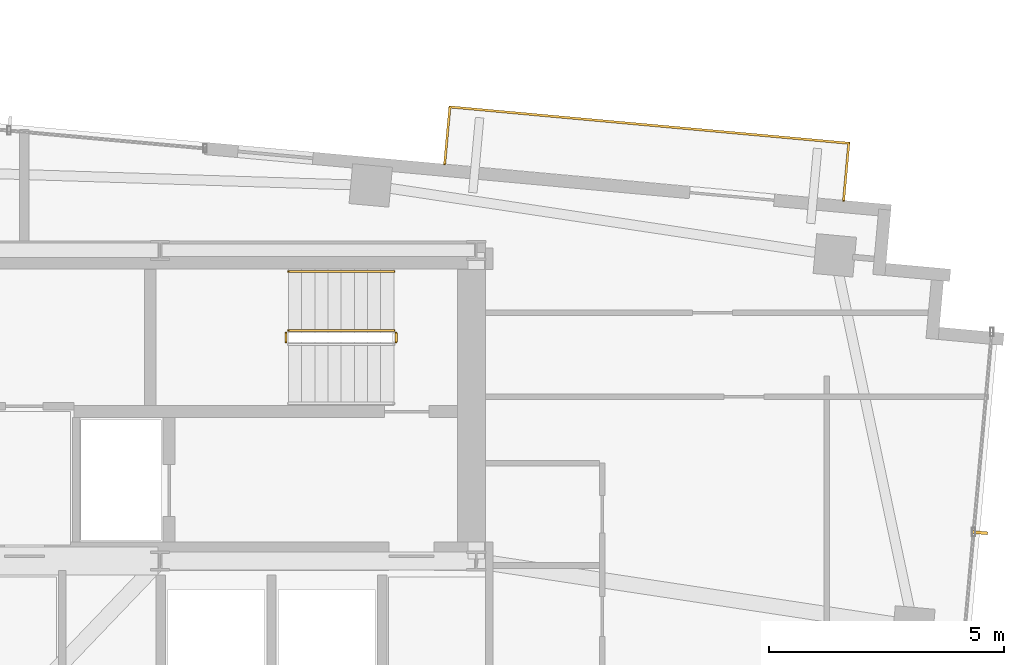
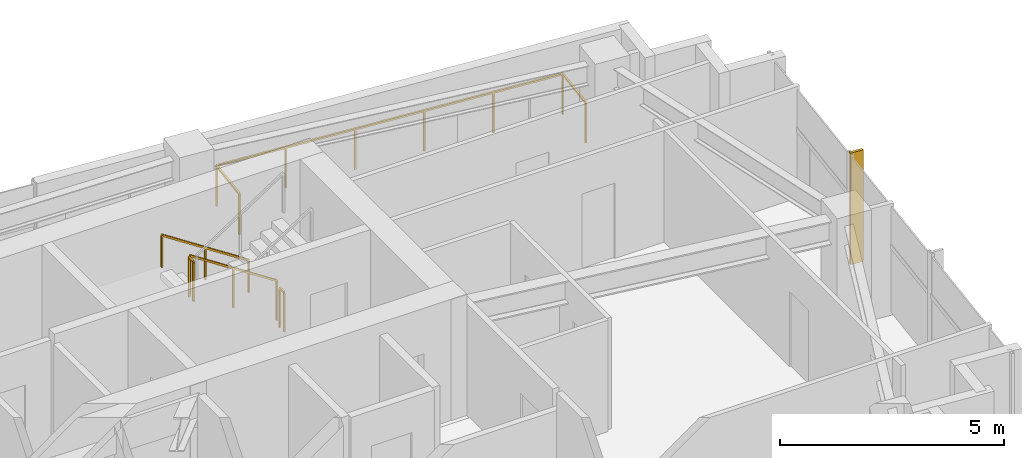
# One storey, part 22 of 22: 5 railings, 1 shading device.
"""IFC4 building model written with IfcOpenShell, lengths in metres."""

import ifcopenshell
import ifcopenshell.guid

model = None  # the IFC model being written
_history = None  # IfcOwnerHistory: only IFC2X3 demands one
_inside = {}  # id of a spatial element -> (the spatial element, [elements in it])
_under = {}  # id of a project, library or spatial element -> (it, [spatial elements below it])
_declared = {}  # id of a project -> (the project, [libraries it declares])
_typed = {}  # id of a type object -> (the type object, [elements of that type])
_made_of = {}  # id of a material, layer set ... -> (it, [elements and type objects made of it])


def new_model(schema):
    """Start an empty IFC model of exactly this schema.

    Asked for "IFC4X3", IfcOpenShell would pick the latest addendum, in which some entities
    have other attributes; the version numbers below select the first issue.
    IFC2X3 requires an IfcOwnerHistory on every rooted entity: one is made here for all.
    """
    global model, _history
    if schema == "IFC4X3":
        model = ifcopenshell.file(schema_version=(4, 3, 0, 0))
    else:
        model = ifcopenshell.file(schema=schema)
    _inside.clear()
    _under.clear()
    _declared.clear()
    _typed.clear()
    _made_of.clear()
    _history = None
    if model.schema == "IFC2X3":
        org = make("IfcOrganization", Name="unknown")
        user = make(
            "IfcPersonAndOrganization",
            ThePerson=make("IfcPerson", FamilyName="unknown"),
            TheOrganization=org,
        )
        app = make(
            "IfcApplication",
            ApplicationDeveloper=org,
            Version="unknown",
            ApplicationFullName="unknown",
            ApplicationIdentifier="unknown",
        )
        _history = make(
            "IfcOwnerHistory",
            OwningUser=user,
            OwningApplication=app,
            ChangeAction="ADDED",
            CreationDate=0,
        )
    return model


def make(cls, **values):
    """One entity of the class cls with the attributes given. An attribute that is None is left unset."""
    return model.create_entity(
        cls, **{name: value for name, value in values.items() if value is not None}
    )


def rooted(cls, **values):
    """An entity with a GlobalId (a new one), such as an element, a storey or a relation."""
    return make(cls, GlobalId=ifcopenshell.guid.new(), OwnerHistory=_history, **values)


def si_unit(unit_type, name, prefix=None):
    """IfcSIUnit, for example si_unit("LENGTHUNIT", "METRE", prefix="MILLI")."""
    return make("IfcSIUnit", UnitType=unit_type, Prefix=prefix, Name=name)


def assignment(units):
    """IfcUnitAssignment: the units of a project."""
    return None if units is None else make("IfcUnitAssignment", Units=units)


def point(xyz):
    """IfcCartesianPoint."""
    return None if xyz is None else make("IfcCartesianPoint", Coordinates=xyz)


def direction(xyz):
    """IfcDirection."""
    return None if xyz is None else make("IfcDirection", DirectionRatios=xyz)


def frame(location, z_axis=None, x_axis=None):
    """IfcAxis2Placement3D, a coordinate frame: its origin and axes. An axis left out is left unset."""
    return make(
        "IfcAxis2Placement3D",
        Location=point(location),
        Axis=direction(z_axis),
        RefDirection=direction(x_axis),
    )


def frame_2d(location, x_axis=None):
    """IfcAxis2Placement2D, a coordinate frame in the plane: its origin and x axis."""
    return make(
        "IfcAxis2Placement2D", Location=point(location), RefDirection=direction(x_axis)
    )


def origin():
    """The frame at (0, 0, 0) with its axes left unset."""
    return frame((0.0, 0.0, 0.0))


def origin_2d():
    """The frame at (0, 0) in the plane with its x axis left unset."""
    return frame_2d((0.0, 0.0))


def place(relative_to, where):
    """IfcLocalPlacement: puts the frame where relative to a parent placement (None: the world)."""
    return make(
        "IfcLocalPlacement", PlacementRelTo=relative_to, RelativePlacement=where
    )


def context(
    kind, dimensions, precision=None, world=None, true_north=None, identifier=None
):
    """IfcGeometricRepresentationContext, for example the 3D "Model" context."""
    return make(
        "IfcGeometricRepresentationContext",
        ContextIdentifier=identifier,
        ContextType=kind,
        CoordinateSpaceDimension=dimensions,
        Precision=precision,
        WorldCoordinateSystem=world,
        TrueNorth=true_north,
    )


def subcontext(parent, identifier, kind, view, scale=None):
    """IfcGeometricRepresentationSubContext, for example "Body" below "Model"."""
    return make(
        "IfcGeometricRepresentationSubContext",
        ContextIdentifier=identifier,
        ContextType=kind,
        ParentContext=parent,
        TargetScale=scale,
        TargetView=view,
    )


def project(units=None, contexts=None):
    """IfcProject with its units and contexts."""
    return rooted(
        "IfcProject",
        Name="project",
        RepresentationContexts=contexts,
        UnitsInContext=assignment(units),
    )


def spatial(cls, under=None, at=None, **own):
    """A site, building, storey or space (cls), placed at a placement, below another one or the project."""
    s = rooted(cls, ObjectPlacement=at, **own)
    if under is not None:
        _under.setdefault(under.id(), (under, []))[1].append(s)
    return s


def profile(cls, at=None, kind="AREA", **sizes):
    """A parametric profile (cls). Its sizes go by their IFC names, for example OverallWidth=200.0."""
    return make(cls, ProfileType=kind, Position=at, **sizes)


def rectangle(**sizes):
    """IfcRectangleProfileDef."""
    return profile("IfcRectangleProfileDef", **sizes)


def extrude(swept, where, along, depth):
    """IfcExtrudedAreaSolid: the profile swept, set in the frame where, extruded along a direction by depth."""
    return make(
        "IfcExtrudedAreaSolid",
        SweptArea=swept,
        Position=where,
        ExtrudedDirection=direction(along),
        Depth=depth,
    )


def shape(context_of_items, identifier, shape_type, items):
    """IfcShapeRepresentation: the items that make up one representation, for example the "Body"."""
    return make(
        "IfcShapeRepresentation",
        ContextOfItems=context_of_items,
        RepresentationIdentifier=identifier,
        RepresentationType=shape_type,
        Items=items,
    )


def source(mapping_origin, context_of_items, identifier, shape_type, items):
    """IfcRepresentationMap: a shape defined once, which mapped items show again and again."""
    return make(
        "IfcRepresentationMap",
        MappingOrigin=mapping_origin,
        MappedRepresentation=shape(context_of_items, identifier, shape_type, items),
    )


def transform(
    local_origin,
    x_axis=None,
    y_axis=None,
    z_axis=None,
    scale=None,
    scale2=None,
    scale3=None,
    uniform=True,
):
    """IfcCartesianTransformationOperator3D, or its non-uniform kind. x_axis, y_axis, z_axis: its Axis1, 2, 3."""
    if uniform:
        return make(
            "IfcCartesianTransformationOperator3D",
            Axis1=direction(x_axis),
            Axis2=direction(y_axis),
            LocalOrigin=point(local_origin),
            Scale=scale,
            Axis3=direction(z_axis),
        )
    return make(
        "IfcCartesianTransformationOperator3DnonUniform",
        Axis1=direction(x_axis),
        Axis2=direction(y_axis),
        LocalOrigin=point(local_origin),
        Scale=scale,
        Axis3=direction(z_axis),
        Scale2=scale2,
        Scale3=scale3,
    )


def mapped(mapping_source, mapping_target):
    """IfcMappedItem: shows the shape of a source again, moved by a transform."""
    return make(
        "IfcMappedItem", MappingSource=mapping_source, MappingTarget=mapping_target
    )


def material(Name=None, Category=None):
    """IfcMaterial."""
    return make("IfcMaterial", Name=Name, Category=Category)


def made_of(thing, what):
    """Note that an element or type object is made of a material, layer set ...; save() writes the relation."""
    if what is not None:
        _made_of.setdefault(what.id(), (what, []))[1].append(thing)
    return thing


def type_object(cls, material=None, **own):
    """A type object (cls), such as IfcWallType, which elements share."""
    return made_of(rooted(cls, **own), material)


def type_shapes(of_type, sources):
    """Give a type object the sources (RepresentationMaps) that its elements show as mapped items."""
    of_type.RepresentationMaps = sources


def element(
    cls,
    number,
    at=None,
    inside=None,
    cuts=None,
    type_object=None,
    material=None,
    context=None,
    identifier="Body",
    shape_type=None,
    held_by="IfcProductDefinitionShape",
    body=None,
    shapes=None,
    **own,
):
    """One element of the class cls, such as IfcWall. Its Tag is "e" and its number.

    at: its placement. inside: the storey or other place that contains it. cuts: it is an
    opening in that element (IfcRelVoidsElement). A single representation is given by context,
    identifier, shape_type and body (its items); several are given by shapes. held_by: the class
    of the entity that holds the representations. save() writes the other relations.
    """
    e = rooted(cls, Tag="e%d" % number, ObjectPlacement=at, **own)
    if body is not None:
        shapes = [shape(context, identifier, shape_type, body)]
    if shapes is not None:
        e.Representation = make(held_by, Representations=shapes)
    if inside is not None:
        _inside.setdefault(inside.id(), (inside, []))[1].append(e)
    if cuts is not None:
        rooted(
            "IfcRelVoidsElement", RelatingBuildingElement=cuts, RelatedOpeningElement=e
        )
    if type_object is not None:
        _typed.setdefault(type_object.id(), (type_object, []))[1].append(e)
    return made_of(e, material)


def aggregate(whole, parts):
    """IfcRelAggregates: a whole, such as a stair, and the parts it consists of."""
    return rooted("IfcRelAggregates", RelatingObject=whole, RelatedObjects=parts)


def save(model, path):
    """Write the relations noted so far, then the file.

    IfcRelAggregates (storeys below a building ...), IfcRelContainedInSpatialStructure (elements
    in a storey), IfcRelDefinesByType, IfcRelAssociatesMaterial and IfcRelDeclares: one each for
    every whole, place, type object, material and project.
    """
    for whole, parts in _under.values():
        aggregate(whole, parts)
    for where, things in _inside.values():
        rooted(
            "IfcRelContainedInSpatialStructure",
            RelatedElements=things,
            RelatingStructure=where,
        )
    for kind, things in _typed.values():
        rooted("IfcRelDefinesByType", RelatedObjects=things, RelatingType=kind)
    for what, things in _made_of.values():
        rooted("IfcRelAssociatesMaterial", RelatedObjects=things, RelatingMaterial=what)
    for by, libraries in _declared.values():
        rooted("IfcRelDeclares", RelatingContext=by, RelatedDefinitions=libraries)
    model.write(path)


model = new_model("IFC4")

# Units and contexts
model_context = context("Model", 3, precision=1e-05, world=origin(), true_north=direction((0.0, 1.0)))
body_context = subcontext(model_context, "Body", "Model", "MODEL_VIEW")
ifc_project = project(units=[si_unit("LENGTHUNIT", "METRE"), si_unit("AREAUNIT", "SQUARE_METRE"), si_unit("VOLUMEUNIT", "CUBIC_METRE"), si_unit("PLANEANGLEUNIT", "RADIAN"), si_unit("MASSUNIT", "GRAM", prefix="KILO")], contexts=[model_context])

# Site, building, storey
site_placement = place(None, origin())
site = spatial("IfcSite", under=ifc_project, at=site_placement, CompositionType="ELEMENT")
building_placement = place(site_placement, origin())
building = spatial("IfcBuilding", under=site, at=building_placement, Name="Astriad Promenade Condominiums", CompositionType="ELEMENT")
storey_placement = place(building_placement, frame((0.0, 0.0, 216.60009765625)))
storey = spatial("IfcBuildingStorey", under=building, at=storey_placement, Name="L62", CompositionType="ELEMENT", Elevation=216.60009765625)

# Shading device
ifc_material_1 = material(Name="Anodised aluminium 6063-T6 Black Fin", Category="aluminium")
shading_device_type = type_object("IfcShadingDeviceType", Name="FIN-BLACK-260", PredefinedType="USERDEFINED", material=ifc_material_1)
shared_shape_1 = source(origin(), body_context, "Body", "SweptSolid", [
    extrude(rectangle(XDim=0.06494140625, YDim=0.320068359375, at=origin_2d()), origin(), (0.0, 0.0, 1.0), 3.0400390625),
])
type_shapes(shading_device_type, [shared_shape_1])
shading_device_placement = place(storey_placement, frame((56.306884765625, 18.0029296875, 0.0), z_axis=(0.0, 0.0, 1.0), x_axis=(-0.090632580198, -0.995884398616, 0.0)))
element("IfcShadingDevice", 1, at=shading_device_placement, inside=storey, type_object=shading_device_type, Name="CW-L62-E-FIN-01", ObjectType="FIN", PredefinedType="USERDEFINED", context=body_context, shape_type="MappedRepresentation", body=[
    mapped(shared_shape_1, transform((0.0, 0.0, 0.0), scale=1.0)),
])

# Railings
ifc_material_2 = material(Name="Laminated Glass and Stainless Steel Balustrade", Category="steel")
railing_type_1 = type_object("IfcRailingType", Name="GRD-BALC-1120", PredefinedType="BALUSTRADE", material=ifc_material_2)
shared_shape_2 = source(origin(), body_context, "Body", "SweptSolid", [
    extrude(rectangle(XDim=0.048095703125, YDim=0.048095703125, at=origin_2d()), frame((0.0, 0.0, 1.09619140625), z_axis=(0.090643994769, 0.995883359743, 0.0), x_axis=(-0.995883359743, 0.090643994769, 0.0)), (0.0, 0.0, 1.0), 1.22021484375),
    extrude(rectangle(XDim=0.048095703125, YDim=0.048095703125, at=origin_2d()), frame((0.110595703125, 1.215087890625, 1.09619140625), z_axis=(-0.995885914428, 0.090615922682, 0.0), x_axis=(-0.090615922682, -0.995885914428, 0.0)), (0.0, 0.0, 1.0), 8.510986328125),
    extrude(rectangle(XDim=0.048095703125, YDim=0.048095703125, at=origin_2d()), frame((-8.365478515625, 1.986328125, 1.09619140625), z_axis=(-0.09066206129, -0.995881715186, 0.0), x_axis=(0.995881715186, -0.09066206129, 0.0)), (0.0, 0.0, 1.0), 1.219970703125),
    extrude(rectangle(XDim=0.0419921875, YDim=0.0419921875, at=origin_2d()), origin(), (0.0, 0.0, 1.0), 1.072021484375),
    extrude(rectangle(XDim=0.0419921875, YDim=0.0419921875, at=origin_2d()), frame((0.110595703125, 1.215087890625, 0.0)), (0.0, 0.0, 1.0), 1.072021484375),
    extrude(rectangle(XDim=0.0419921875, YDim=0.0419921875, at=origin_2d()), frame((-1.584716796875, 1.369384765625, 0.0)), (0.0, 0.0, 1.0), 1.072021484375),
    extrude(rectangle(XDim=0.0419921875, YDim=0.0419921875, at=origin_2d()), frame((-3.27978515625, 1.523681640625, 0.0)), (0.0, 0.0, 1.0), 1.072021484375),
    extrude(rectangle(XDim=0.0419921875, YDim=0.0419921875, at=origin_2d()), frame((-4.97509765625, 1.677734375, 0.0)), (0.0, 0.0, 1.0), 1.072021484375),
    extrude(rectangle(XDim=0.0419921875, YDim=0.0419921875, at=origin_2d()), frame((-6.670166015625, 1.83203125, 0.0)), (0.0, 0.0, 1.0), 1.072021484375),
    extrude(rectangle(XDim=0.0419921875, YDim=0.0419921875, at=origin_2d()), frame((-8.365478515625, 1.986328125, 0.0)), (0.0, 0.0, 1.0), 1.072021484375),
    extrude(rectangle(XDim=0.0419921875, YDim=0.0419921875, at=origin_2d()), frame((-8.47607421875, 0.771484375, 0.0)), (0.0, 0.0, 1.0), 1.072021484375),
])
type_shapes(railing_type_1, [shared_shape_2])
railing_1_placement = place(storey_placement, frame((53.40576171875, 25.0615234375, 0.0)))
element("IfcRailing", 2, at=railing_1_placement, inside=storey, type_object=railing_type_1, Name="GRD-BALC-L62-NE", PredefinedType="BALUSTRADE", context=body_context, shape_type="MappedRepresentation", body=[
    mapped(shared_shape_2, transform((0.0, 0.0, 0.0), scale=1.0)),
])
ifc_material_3 = material(Name="Painted Galvanised Steel Guardrail", Category="steel")
railing_type_2 = type_object("IfcRailingType", Name="GRD-STAIR-1100", PredefinedType="GUARDRAIL", material=ifc_material_3)
shared_shape_3 = source(origin(), body_context, "Body", "SweptSolid", [
    extrude(rectangle(XDim=0.048095703125, YDim=0.048095703125, at=origin_2d()), frame((0.0, 0.0, 1.076171875), z_axis=(-0.836636935527, 0.0, 0.547757827979), x_axis=(0.0, -1.0, 0.0)), (0.0, 0.0, 1.0), 2.677490234375),
    extrude(rectangle(XDim=0.0419921875, YDim=0.0419921875, at=origin_2d()), origin(), (0.0, 0.0, 1.0), 1.052001953125),
    extrude(rectangle(XDim=0.0419921875, YDim=0.0419921875, at=origin_2d()), frame((-1.1201171875, 0.0, 0.7333984375)), (0.0, 0.0, 1.0), 1.052001953125),
    extrude(rectangle(XDim=0.0419921875, YDim=0.0419921875, at=origin_2d()), frame((-2.239990234375, 0.0, 1.466552734375)), (0.0, 0.0, 1.0), 1.052001953125),
])
railing_2_placement = place(storey_placement, frame((43.85009765625, 22.300048828125, 0.183349609375)))
element("IfcRailing", 3, at=railing_2_placement, inside=storey, type_object=railing_type_2, Name="L62 ST-2 stair guard 1", PredefinedType="GUARDRAIL", context=body_context, shape_type="MappedRepresentation", body=[
    mapped(shared_shape_3, transform((0.0, 0.0, 0.0), scale=1.0)),
])
ifc_material_4 = material(Name="Brushed Stainless Steel Handrail", Category="steel")
railing_type_3 = type_object("IfcRailingType", Name="HRL-STAIR-920", PredefinedType="HANDRAIL", material=ifc_material_4)
shared_shape_4 = source(origin(), body_context, "Body", "SweptSolid", [
    extrude(rectangle(XDim=0.048095703125, YDim=0.048095703125, at=origin_2d()), frame((0.0, 0.0, 0.8759765625), z_axis=(-0.836636935527, 0.0, 0.547757827979), x_axis=(0.0, -1.0, 0.0)), (0.0, 0.0, 1.0), 2.677490234375),
    extrude(rectangle(XDim=0.0419921875, YDim=0.0419921875, at=origin_2d()), origin(), (0.0, 0.0, 1.0), 0.851806640625),
    extrude(rectangle(XDim=0.0419921875, YDim=0.0419921875, at=origin_2d()), frame((-1.1201171875, 0.0, 0.7333984375)), (0.0, 0.0, 1.0), 0.851806640625),
    extrude(rectangle(XDim=0.0419921875, YDim=0.0419921875, at=origin_2d()), frame((-2.239990234375, 0.0, 1.466552734375)), (0.0, 0.0, 1.0), 0.851806640625),
])
type_shapes(railing_type_3, [shared_shape_4])
railing_3_placement = place(storey_placement, frame((43.85009765625, 23.550048828125, 0.183349609375)))
element("IfcRailing", 4, at=railing_3_placement, inside=storey, type_object=railing_type_3, Name="L62 ST-2 stair handrail 1", PredefinedType="HANDRAIL", context=body_context, shape_type="MappedRepresentation", body=[
    mapped(shared_shape_4, transform((0.0, 0.0, 0.0), scale=1.0)),
])
shared_shape_5 = source(origin(), body_context, "Body", "SweptSolid", [
    extrude(rectangle(XDim=0.048095703125, YDim=0.048095703125, at=origin_2d()), frame((0.0, 0.0, 1.076171875), z_axis=(0.0, -1.0, 0.0), x_axis=(1.0, 0.0, 0.0)), (0.0, 0.0, 1.0), 0.199951171875),
    extrude(rectangle(XDim=0.0419921875, YDim=0.0419921875, at=origin_2d()), origin(), (0.0, 0.0, 1.0), 1.052001953125),
    extrude(rectangle(XDim=0.0419921875, YDim=0.0419921875, at=origin_2d()), frame((0.0, -0.199951171875, 0.0)), (0.0, 0.0, 1.0), 1.052001953125),
])
type_shapes(railing_type_2, [shared_shape_3, shared_shape_5])
for number, where, name in (
    (5, (41.56005859375, 22.25, 1.64990234375), "L62 ST-2 stair guard 2"),
    (6, (43.89990234375, 22.25, 0.0), "L62 ST-2 stair guard 4"),
):
    element("IfcRailing", number, at=place(storey_placement, frame(where)), inside=storey, type_object=railing_type_2, Name=name, PredefinedType="GUARDRAIL", context=body_context, shape_type="MappedRepresentation", body=[
        mapped(shared_shape_5, transform((0.0, 0.0, 0.0), scale=1.0)),
    ])

save(model, "model.ifc")
